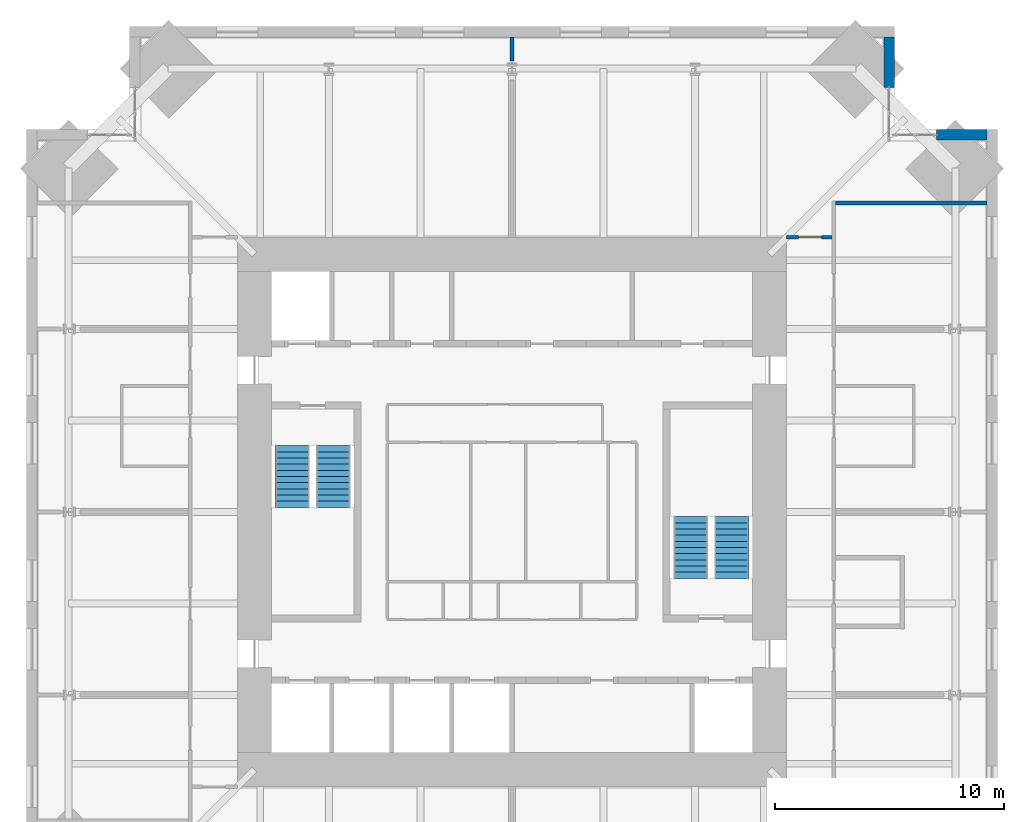
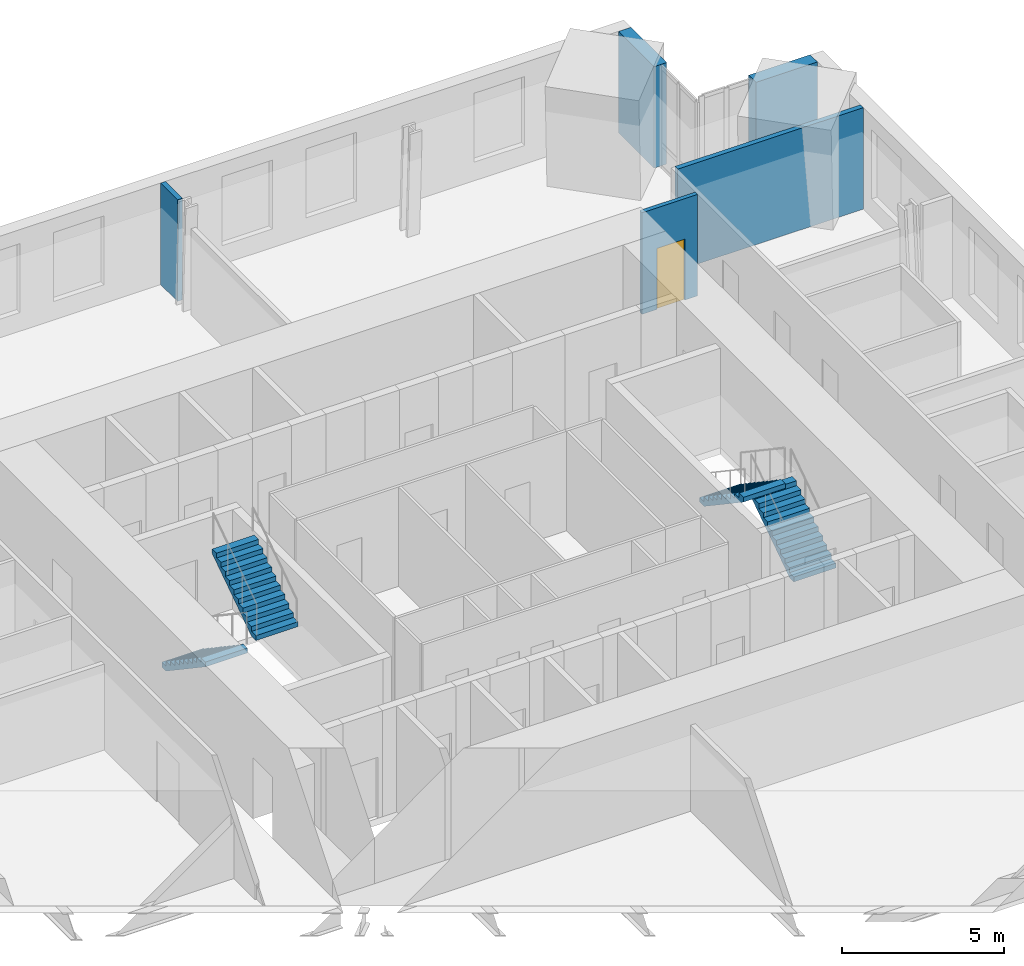
# One storey, part 14 of 15: 5 walls, 4 stair flights, 1 door, 1 opening, 2 elements without a shape of their own.
"""IFC4 building model written with IfcOpenShell, lengths in metres."""

from ifc_helpers import new_model, si_unit, direction, frame, frame_2d, origin, place, context, subcontext, project, spatial, polyline, rectangle, outline, extrude, material, layer, layer_set, type_object, element, fill, aggregate, save


model = new_model("IFC4")

# Units and contexts
model_context = context("Model", 3, precision=1e-05, world=origin(), true_north=direction((0.0, 1.0)))
body_context = subcontext(model_context, "Body", "Model", "MODEL_VIEW")
ifc_project = project(units=[si_unit("LENGTHUNIT", "METRE"), si_unit("AREAUNIT", "SQUARE_METRE"), si_unit("VOLUMEUNIT", "CUBIC_METRE"), si_unit("PLANEANGLEUNIT", "RADIAN"), si_unit("MASSUNIT", "GRAM", prefix="KILO")], contexts=[model_context])

# Site, building, storey
site_placement = place(None, origin())
site = spatial("IfcSite", under=ifc_project, at=site_placement, CompositionType="ELEMENT")
building_placement = place(site_placement, origin())
building = spatial("IfcBuilding", under=site, at=building_placement, Name="Peilmerk Tower", CompositionType="ELEMENT")
storey_placement = place(building_placement, frame((0.0, 0.0, 285.800048828125)))
storey = spatial("IfcBuildingStorey", under=building, at=storey_placement, Name="L64", CompositionType="ELEMENT", Elevation=285.800048828125)

# Walls
ifc_material_1 = material(Name="Precast concrete C45/55, board-marked finish", Category="concrete")
ifc_layer_1 = layer(ifc_material_1, 0.449951171875)
ifc_layer_set_1 = layer_set([ifc_layer_1], Name="Precast concrete C45/55, board-marked finish")
wall_type_1 = type_object("IfcWallType", Name="EW1 450 precast concrete facade wall, board-marked", PredefinedType="SOLIDWALL", material=ifc_layer_set_1)
for number, where, z_axis, x_axis, name in (
    (1, (16.47509765625, 18.5537109375, 0.0), (0.0, 0.0, 1.0), (0.0, 1.0, 0.0), "Facade wall NEA L64"),
    (2, (18.5537109375, 16.47509765625, 0.0), (0.0, 0.0, 1.0), (1.0, 0.0, 0.0), "Facade wall NEB L64"),
):
    element("IfcWall", number, at=place(storey_placement, frame(where, z_axis=z_axis, x_axis=x_axis)), inside=storey, type_object=wall_type_1, Name=name, PredefinedType="SOLIDWALL", context=body_context, shape_type="SweptSolid", body=[
        extrude(rectangle(XDim=2.1962890625, YDim=0.449951171875, at=frame_2d((1.09814453125, 0.0))), origin(), (0.0, 0.0, 1.0), 3.829833984375),
    ])

# Wall, opening, door
ifc_material_2 = material(Name="Calcium silicate block", Category="masonry")
ifc_layer_2 = layer(ifc_material_2, 0.14990234375)
ifc_layer_set_2 = layer_set([ifc_layer_2], Name="Calcium silicate block")
wall_type_2 = type_object("IfcWallType", Name="IW1 150 corridor partition, EI 60", PredefinedType="PARTITIONING", material=ifc_layer_set_2)
wall_1_placement = place(storey_placement, frame((12.0, 12.0, 0.0), z_axis=(0.0, 0.0, 1.0), x_axis=(1.0, 0.0, 0.0)))
wall_1 = element("IfcWall", 3, at=wall_1_placement, inside=storey, type_object=wall_type_2, Name="Corridor wall NE L64", PredefinedType="PARTITIONING", context=body_context, shape_type="SweptSolid", body=[
    extrude(rectangle(XDim=1.97509765625, YDim=0.14990234375, at=frame_2d((0.987548828125, 0.0))), origin(), (0.0, 0.0, 1.0), 3.829833984375),
])
opening_placement = place(wall_1_placement, frame((0.52490234375, 0.0, 0.0)))
opening = element("IfcOpeningElement", 4, at=opening_placement, cuts=wall_1, Name="Opening D1", PredefinedType="OPENING", context=body_context, shape_type="SweptSolid", body=[
    extrude(rectangle(XDim=1.0, YDim=2.300048828125, at=frame_2d((0.5, 1.14990234375))), frame((0.0, 0.0849609375, 0.0), z_axis=(0.0, -1.0, 0.0), x_axis=(1.0, 0.0, 0.0)), (0.0, 0.0, 1.0), 0.169921875),
])
ifc_material_3 = material(Name="Timber door in steel frame", Category="steel")
door_type = type_object("IfcDoorType", Name="D1 1000x2300 room door, EI2 30", OperationType="SINGLE_SWING_LEFT", PredefinedType="DOOR", material=ifc_material_3)
door_placement = place(opening_placement, origin())
door = element("IfcDoor", 5, at=door_placement, inside=storey, type_object=door_type, Name="Door Reception L64", OperationType="SINGLE_SWING_LEFT", OverallHeight=2.300048828125, OverallWidth=1.0, PredefinedType="DOOR", context=body_context, shape_type="SweptSolid", body=[
    extrude(rectangle(XDim=1.0, YDim=2.300048828125, at=frame_2d((0.5, 1.14990234375))), frame((0.0, 0.02490234375, 0.0), z_axis=(0.0, -1.0, 0.0), x_axis=(1.0, 0.0, 0.0)), (0.0, 0.0, 1.0), 0.050048828125),
])
fill(opening, door)

# Walls
ifc_layer_3 = layer(ifc_material_2, 0.175048828125)
ifc_layer_set_3 = layer_set([ifc_layer_3], Name="Calcium silicate block")
wall_type_3 = type_object("IfcWallType", Name="IW8 175 tenant separating wall, EI 60", PredefinedType="PARTITIONING", material=ifc_layer_set_3)
wall_2_placement = place(storey_placement, frame((14.125, 13.5, 0.0), z_axis=(0.0, 0.0, 1.0), x_axis=(1.0, 0.0, 0.0)))
element("IfcWall", 6, at=wall_2_placement, inside=storey, type_object=wall_type_3, Name="Tenant separating wall NE L64", PredefinedType="PARTITIONING", context=body_context, shape_type="SweptSolid", body=[
    extrude(rectangle(XDim=6.625, YDim=0.175048828125, at=frame_2d((3.3125, 0.0))), origin(), (0.0, 0.0, 1.0), 3.829833984375),
])
wall_3_placement = place(storey_placement, frame((0.0, 19.7021484375, 0.0), z_axis=(0.0, 0.0, 1.0), x_axis=(0.0, 1.0, 0.0)))
element("IfcWall", 7, at=wall_3_placement, inside=storey, type_object=wall_type_3, Name="Tenant separating wall N1b L64", PredefinedType="PARTITIONING", context=body_context, shape_type="SweptSolid", body=[
    extrude(rectangle(XDim=1.0478515625, YDim=0.175048828125, at=frame_2d((0.52392578125, 0.0))), origin(), (0.0, 0.0, 1.0), 3.829833984375),
])

# Stair, stair flights
ifc_material_4 = material(Name="Precast concrete C45/55", Category="concrete")
stair_type_1 = type_object("IfcStairType", Name="ST1 22 risers of 181.8", PredefinedType="HALF_TURN_STAIR", material=ifc_material_4)
stair_1_placement = place(storey_placement, origin())
stair_1 = element("IfcStair", 8, at=stair_1_placement, inside=storey, type_object=stair_type_1, Name="Stair 1 L64 to L65", PredefinedType="HALF_TURN_STAIR")
stair_flight_type = type_object("IfcStairFlightType", Name="SF11 flight, 11 risers of 181.8", PredefinedType="STRAIGHT", material=ifc_material_4)
stair_flight_1_placement = place(storey_placement, frame((-9.60009765625, 2.89990234375, 0.0), z_axis=(0.0, 0.0, 1.0), x_axis=(0.0, -1.0, 0.0)))
stair_flight_1 = element("IfcStairFlight", 9, at=stair_flight_1_placement, type_object=stair_flight_type, Name="ST1 flight 1", NumberOfRisers=11, NumberOfTreads=10, PredefinedType="STRAIGHT", RiserHeight=0.181818182, TreadLength=0.27, context=body_context, shape_type="SweptSolid", body=[
    extrude(outline(polyline([(0.0, 0.0), (0.0, 0.181884765625), (0.27001953125, 0.181884765625), (0.27001953125, 0.363525390625), (0.5400390625, 0.363525390625), (0.5400390625, 0.54541015625), (0.81005859375, 0.54541015625), (0.81005859375, 0.727294921875), (1.080078125, 0.727294921875), (1.080078125, 0.9091796875), (1.35009765625, 0.9091796875), (1.35009765625, 1.0908203125), (1.6201171875, 1.0908203125), (1.6201171875, 1.272705078125), (1.889892578125, 1.272705078125), (1.889892578125, 1.45458984375), (2.159912109375, 1.45458984375), (2.159912109375, 1.636474609375), (2.429931640625, 1.636474609375), (2.429931640625, 1.818115234375), (2.699951171875, 1.818115234375), (2.699951171875, 2.0), (2.699951171875, 1.637451171875), (0.268310546875, 0.0), (0.0, 0.0)])), frame((0.0, 0.75, 0.0), z_axis=(0.0, -1.0, 0.0), x_axis=(1.0, 0.0, 0.0)), (0.0, 0.0, 1.0), 1.5),
])
stair_flight_2_placement = place(storey_placement, frame((-7.800048828125, 0.199951171875, 2.0), z_axis=(0.0, 0.0, 1.0), x_axis=(0.0, 1.0, 0.0)))
stair_flight_2 = element("IfcStairFlight", 10, at=stair_flight_2_placement, type_object=stair_flight_type, Name="ST1 flight 2", NumberOfRisers=11, NumberOfTreads=10, PredefinedType="STRAIGHT", RiserHeight=0.181818182, TreadLength=0.27, context=body_context, shape_type="SweptSolid", body=[
    extrude(outline(polyline([(0.0, 0.0), (0.0, 0.181884765625), (0.27001953125, 0.181884765625), (0.27001953125, 0.363525390625), (0.5400390625, 0.363525390625), (0.5400390625, 0.54541015625), (0.81005859375, 0.54541015625), (0.81005859375, 0.727294921875), (1.080078125, 0.727294921875), (1.080078125, 0.9091796875), (1.35009765625, 0.9091796875), (1.35009765625, 1.0908203125), (1.6201171875, 1.0908203125), (1.6201171875, 1.272705078125), (1.889892578125, 1.272705078125), (1.889892578125, 1.45458984375), (2.159912109375, 1.45458984375), (2.159912109375, 1.636474609375), (2.429931640625, 1.636474609375), (2.429931640625, 1.818115234375), (2.699951171875, 1.818115234375), (2.699951171875, 2.0), (2.699951171875, 1.637451171875), (0.268310546875, 0.0), (0.0, 0.0)])), frame((0.0, 0.75, 0.0), z_axis=(0.0, -1.0, 0.0), x_axis=(1.0, 0.0, 0.0)), (0.0, 0.0, 1.0), 1.5),
])
aggregate(stair_1, [stair_flight_1, stair_flight_2])

stair_type_2 = type_object("IfcStairType", Name="ST2 22 risers of 181.8", PredefinedType="HALF_TURN_STAIR", material=ifc_material_4)
stair_2_placement = place(storey_placement, origin())
stair_2 = element("IfcStair", 11, at=stair_2_placement, inside=storey, type_object=stair_type_2, Name="Stair 2 L64 to L65", PredefinedType="HALF_TURN_STAIR")
stair_flight_3_placement = place(storey_placement, frame((9.60009765625, -2.89990234375, 0.0), z_axis=(0.0, 0.0, 1.0), x_axis=(0.0, 1.0, 0.0)))
stair_flight_3 = element("IfcStairFlight", 12, at=stair_flight_3_placement, type_object=stair_flight_type, Name="ST2 flight 1", NumberOfRisers=11, NumberOfTreads=10, PredefinedType="STRAIGHT", RiserHeight=0.181818182, TreadLength=0.27, context=body_context, shape_type="SweptSolid", body=[
    extrude(outline(polyline([(0.0, 0.0), (0.0, 0.181884765625), (0.27001953125, 0.181884765625), (0.27001953125, 0.363525390625), (0.5400390625, 0.363525390625), (0.5400390625, 0.54541015625), (0.81005859375, 0.54541015625), (0.81005859375, 0.727294921875), (1.080078125, 0.727294921875), (1.080078125, 0.9091796875), (1.35009765625, 0.9091796875), (1.35009765625, 1.0908203125), (1.6201171875, 1.0908203125), (1.6201171875, 1.272705078125), (1.889892578125, 1.272705078125), (1.889892578125, 1.45458984375), (2.159912109375, 1.45458984375), (2.159912109375, 1.636474609375), (2.429931640625, 1.636474609375), (2.429931640625, 1.818115234375), (2.699951171875, 1.818115234375), (2.699951171875, 2.0), (2.699951171875, 1.637451171875), (0.268310546875, 0.0), (0.0, 0.0)])), frame((0.0, 0.75, 0.0), z_axis=(0.0, -1.0, 0.0), x_axis=(1.0, 0.0, 0.0)), (0.0, 0.0, 1.0), 1.5),
])
stair_flight_4_placement = place(storey_placement, frame((7.800048828125, -0.199951171875, 2.0), z_axis=(0.0, 0.0, 1.0), x_axis=(0.0, -1.0, 0.0)))
stair_flight_4 = element("IfcStairFlight", 13, at=stair_flight_4_placement, type_object=stair_flight_type, Name="ST2 flight 2", NumberOfRisers=11, NumberOfTreads=10, PredefinedType="STRAIGHT", RiserHeight=0.181818182, TreadLength=0.27, context=body_context, shape_type="SweptSolid", body=[
    extrude(outline(polyline([(0.0, 0.0), (0.0, 0.181884765625), (0.27001953125, 0.181884765625), (0.27001953125, 0.363525390625), (0.5400390625, 0.363525390625), (0.5400390625, 0.54541015625), (0.81005859375, 0.54541015625), (0.81005859375, 0.727294921875), (1.080078125, 0.727294921875), (1.080078125, 0.9091796875), (1.35009765625, 0.9091796875), (1.35009765625, 1.0908203125), (1.6201171875, 1.0908203125), (1.6201171875, 1.272705078125), (1.889892578125, 1.272705078125), (1.889892578125, 1.45458984375), (2.159912109375, 1.45458984375), (2.159912109375, 1.636474609375), (2.429931640625, 1.636474609375), (2.429931640625, 1.818115234375), (2.699951171875, 1.818115234375), (2.699951171875, 2.0), (2.699951171875, 1.637451171875), (0.268310546875, 0.0), (0.0, 0.0)])), frame((0.0, 0.75, 0.0), z_axis=(0.0, -1.0, 0.0), x_axis=(1.0, 0.0, 0.0)), (0.0, 0.0, 1.0), 1.5),
])
aggregate(stair_2, [stair_flight_3, stair_flight_4])

save(model, "model.ifc")
